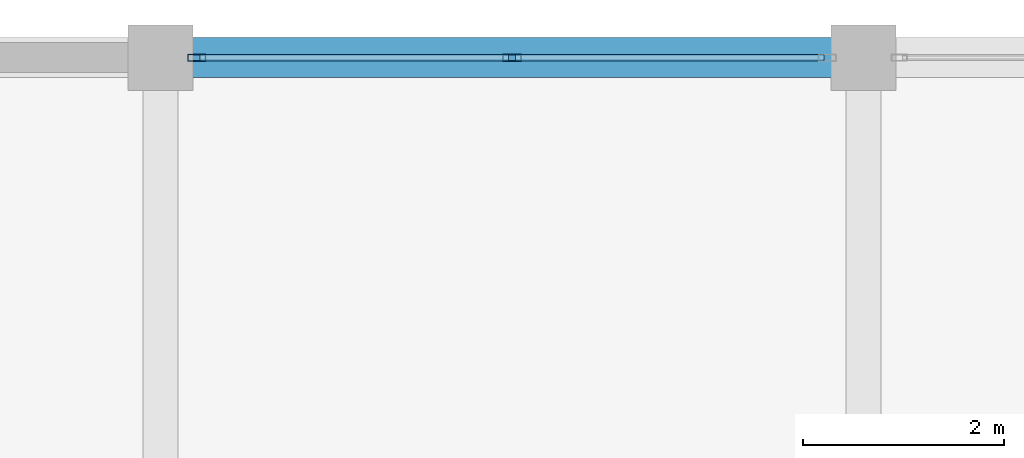
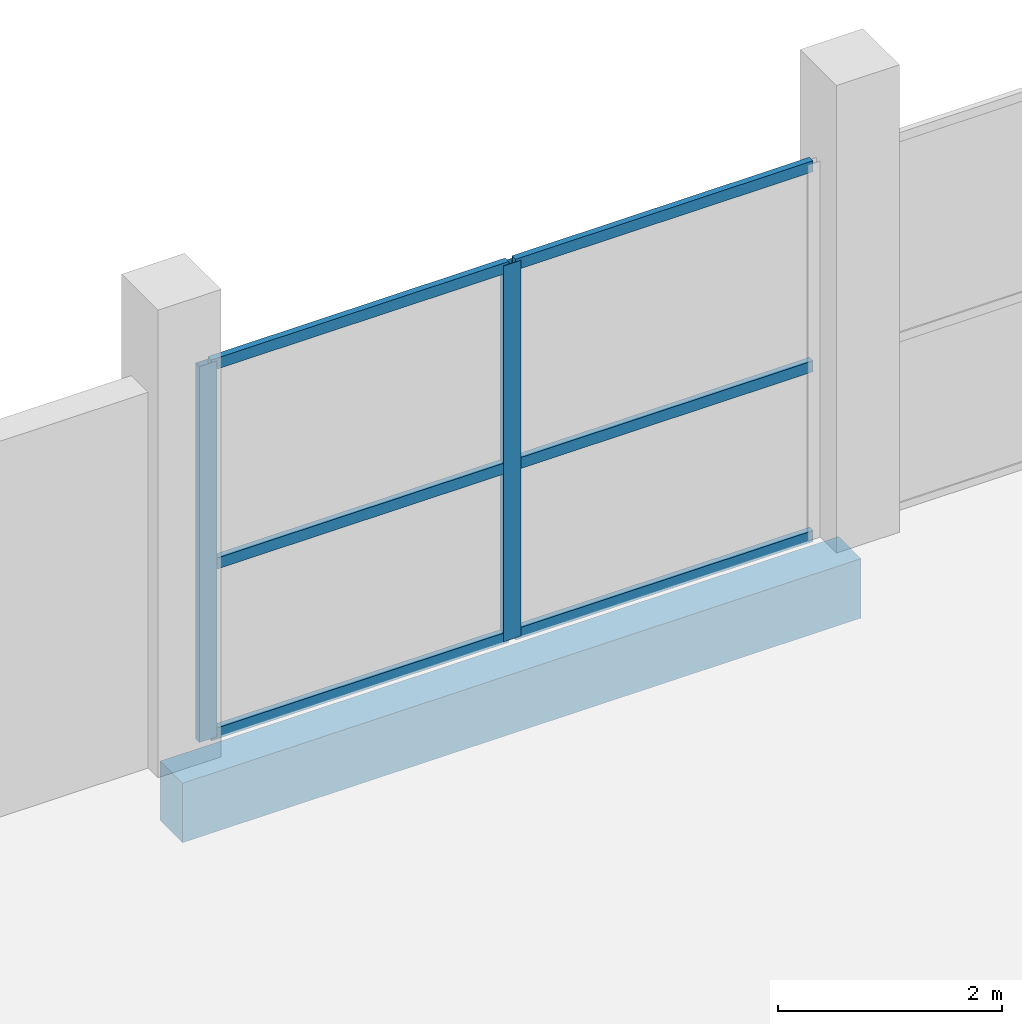
# One storey, part 41 of 67: 8 members, 1 beam, 1 element without a shape of its own.
"""IFC4 building model written with IfcOpenShell, lengths in metres."""

from ifc_helpers import new_model, si_unit, direction, frame, origin, origin_2d, place, context, subcontext, project, spatial, rectangle, hollow_rectangle, extrude, material, layer, layer_set, material_profile, profile_set, type_object, element, aggregate, save


model = new_model("IFC4")

# Units and contexts
model_context = context("Model", 3, precision=1e-05, world=origin(), true_north=direction((0.0, 1.0)))
body_context = subcontext(model_context, "Body", "Model", "MODEL_VIEW")
ifc_project = project(units=[si_unit("LENGTHUNIT", "METRE"), si_unit("AREAUNIT", "SQUARE_METRE"), si_unit("VOLUMEUNIT", "CUBIC_METRE"), si_unit("PLANEANGLEUNIT", "RADIAN"), si_unit("MASSUNIT", "GRAM", prefix="KILO")], contexts=[model_context])

# Site, building, storey
site_placement = place(None, origin())
site = spatial("IfcSite", under=ifc_project, at=site_placement, CompositionType="ELEMENT")
building_placement = place(site_placement, origin())
building = spatial("IfcBuilding", under=site, at=building_placement, Name="Sillaruma Civic Art Gallery", CompositionType="ELEMENT")
storey_placement = place(building_placement, frame((0.0, 0.0, 46.919921875)))
storey = spatial("IfcBuildingStorey", under=building, at=storey_placement, Name="L09", CompositionType="ELEMENT", Elevation=46.919921875)

# Beam
ifc_material_1 = material(Name="Concrete H35 (35 MPa)", Category="concrete")
ifc_material_profile_1 = material_profile(ifc_material_1, rectangle(XDim=0.39990234375, YDim=0.64990234375, at=origin_2d()), Name="RCB400x650")
ifc_profile_set_1 = profile_set([ifc_material_profile_1], Name="Concrete H35 (35 MPa)")
beam_type = type_object("IfcBeamType", Name="BM-SPANDREL-RCB400x650", PredefinedType="SPANDREL", material=ifc_profile_set_1)
beam_placement = place(storey_placement, frame((70.0, 99.0, -0.574951171875), z_axis=(1.0, 0.0, 0.0), x_axis=(0.0, 1.0, 0.0)))
element("IfcBeam", 1, at=beam_placement, inside=storey, type_object=beam_type, Name="Beam BS-02 (L08:11:G-H)", PredefinedType="SPANDREL", context=body_context, shape_type="SweptSolid", body=[
    extrude(rectangle(XDim=0.39990234375, YDim=0.64990234375, at=origin_2d()), origin(), (0.0, 0.0, 1.0), 7.0),
])

# Curtain wall, members
ifc_material_2 = material(Name="Thermally Broken Extruded Aluminium 6063-T6", Category="aluminium")
ifc_layer = layer(ifc_material_2, 0.179931640625, Name="Thermally Broken Extruded Aluminium 6063-T6")
ifc_layer_set = layer_set([ifc_layer], Name="Thermally Broken Extruded Aluminium 6063-T6")
curtain_wall_type = type_object("IfcCurtainWallType", Name="CW-UNI-67", PredefinedType="NOTDEFINED", material=ifc_layer_set)
curtain_wall_placement = place(storey_placement, origin())
curtain_wall = element("IfcCurtainWall", 2, at=curtain_wall_placement, inside=storey, type_object=curtain_wall_type, Name="Unitised Curtain Wall CW-67 (CW-L09-WBN-2)", PredefinedType="NOTDEFINED")
ifc_material_profile_2 = material_profile(ifc_material_2, hollow_rectangle(XDim=0.070068359375, YDim=0.179931640625, WallThickness=0.00390625, at=origin_2d()), Name="CWM70x180")
ifc_profile_set_2 = profile_set([ifc_material_profile_2], Name="Thermally Broken Extruded Aluminium 6063-T6")
member_type_1 = type_object("IfcMemberType", Name="MEM-MUL-CWM70x180", PredefinedType="MULLION", material=ifc_profile_set_2)
member_1_placement = place(storey_placement, frame((70.360107421875, 99.0, 0.0), z_axis=(0.0, 0.0, 1.0), x_axis=(0.0, 1.0, 0.0)))
member_1 = element("IfcMember", 3, at=member_1_placement, type_object=member_type_1, Name="CW-67 mullion 1", PredefinedType="MULLION", context=body_context, shape_type="SweptSolid", body=[
    extrude(hollow_rectangle(XDim=0.070068359375, YDim=0.179931640625, WallThickness=0.00390625, at=origin_2d()), origin(), (0.0, 0.0, 1.0), 4.10009765625),
])
member_2_placement = place(storey_placement, frame((73.5, 99.0, 0.0), z_axis=(0.0, 0.0, 1.0), x_axis=(0.0, 1.0, 0.0)))
member_2 = element("IfcMember", 4, at=member_2_placement, type_object=member_type_1, Name="CW-67 mullion 2", PredefinedType="MULLION", context=body_context, shape_type="SweptSolid", body=[
    extrude(hollow_rectangle(XDim=0.070068359375, YDim=0.179931640625, WallThickness=0.00390625, at=origin_2d()), origin(), (0.0, 0.0, 1.0), 4.10009765625),
])
ifc_material_profile_3 = material_profile(ifc_material_2, hollow_rectangle(XDim=0.06494140625, YDim=0.1201171875, WallThickness=0.00341796875, at=origin_2d()), Name="CWT65x120")
ifc_profile_set_3 = profile_set([ifc_material_profile_3], Name="Thermally Broken Extruded Aluminium 6063-T6")
member_type_2 = type_object("IfcMemberType", Name="MEM-TRN-CWT65x120", PredefinedType="USERDEFINED", material=ifc_profile_set_3)
member_3_placement = place(storey_placement, frame((70.39501953125, 99.0, 0.032470703125), z_axis=(1.0, 0.0, 0.0), x_axis=(0.0, 1.0, 0.0)))
member_3 = element("IfcMember", 5, at=member_3_placement, type_object=member_type_2, Name="CW-67 transom 1.1", ObjectType="TRANSOM", PredefinedType="USERDEFINED", context=body_context, shape_type="SweptSolid", body=[
    extrude(hollow_rectangle(XDim=0.06494140625, YDim=0.1201171875, WallThickness=0.00341796875, at=origin_2d()), origin(), (0.0, 0.0, 1.0), 3.070068359375),
])
member_4_placement = place(storey_placement, frame((70.39501953125, 99.0, 1.885986328125), z_axis=(1.0, 0.0, 0.0), x_axis=(0.0, 1.0, 0.0)))
member_4 = element("IfcMember", 6, at=member_4_placement, type_object=member_type_2, Name="CW-67 transom 1.2", ObjectType="TRANSOM", PredefinedType="USERDEFINED", context=body_context, shape_type="SweptSolid", body=[
    extrude(hollow_rectangle(XDim=0.06494140625, YDim=0.1201171875, WallThickness=0.00341796875, at=origin_2d()), origin(), (0.0, 0.0, 1.0), 3.070068359375),
])
member_5_placement = place(storey_placement, frame((70.39501953125, 99.0, 4.067626953125), z_axis=(1.0, 0.0, 0.0), x_axis=(0.0, 1.0, 0.0)))
member_5 = element("IfcMember", 7, at=member_5_placement, type_object=member_type_2, Name="CW-67 transom 1.3", ObjectType="TRANSOM", PredefinedType="USERDEFINED", context=body_context, shape_type="SweptSolid", body=[
    extrude(hollow_rectangle(XDim=0.06494140625, YDim=0.1201171875, WallThickness=0.00341796875, at=origin_2d()), origin(), (0.0, 0.0, 1.0), 3.070068359375),
])
member_6_placement = place(storey_placement, frame((73.534912109375, 99.0, 0.032470703125), z_axis=(1.0, 0.0, 0.0), x_axis=(0.0, 1.0, 0.0)))
member_6 = element("IfcMember", 8, at=member_6_placement, type_object=member_type_2, Name="CW-67 transom 2.1", ObjectType="TRANSOM", PredefinedType="USERDEFINED", context=body_context, shape_type="SweptSolid", body=[
    extrude(hollow_rectangle(XDim=0.06494140625, YDim=0.1201171875, WallThickness=0.00341796875, at=origin_2d()), origin(), (0.0, 0.0, 1.0), 3.070068359375),
])
member_7_placement = place(storey_placement, frame((73.534912109375, 99.0, 1.885986328125), z_axis=(1.0, 0.0, 0.0), x_axis=(0.0, 1.0, 0.0)))
member_7 = element("IfcMember", 9, at=member_7_placement, type_object=member_type_2, Name="CW-67 transom 2.2", ObjectType="TRANSOM", PredefinedType="USERDEFINED", context=body_context, shape_type="SweptSolid", body=[
    extrude(hollow_rectangle(XDim=0.06494140625, YDim=0.1201171875, WallThickness=0.00341796875, at=origin_2d()), origin(), (0.0, 0.0, 1.0), 3.070068359375),
])
member_8_placement = place(storey_placement, frame((73.534912109375, 99.0, 4.067626953125), z_axis=(1.0, 0.0, 0.0), x_axis=(0.0, 1.0, 0.0)))
member_8 = element("IfcMember", 10, at=member_8_placement, type_object=member_type_2, Name="CW-67 transom 2.3", ObjectType="TRANSOM", PredefinedType="USERDEFINED", context=body_context, shape_type="SweptSolid", body=[
    extrude(hollow_rectangle(XDim=0.06494140625, YDim=0.1201171875, WallThickness=0.00341796875, at=origin_2d()), origin(), (0.0, 0.0, 1.0), 3.070068359375),
])
aggregate(curtain_wall, [member_1, member_2, member_3, member_4, member_5, member_6, member_7, member_8])

save(model, "model.ifc")
